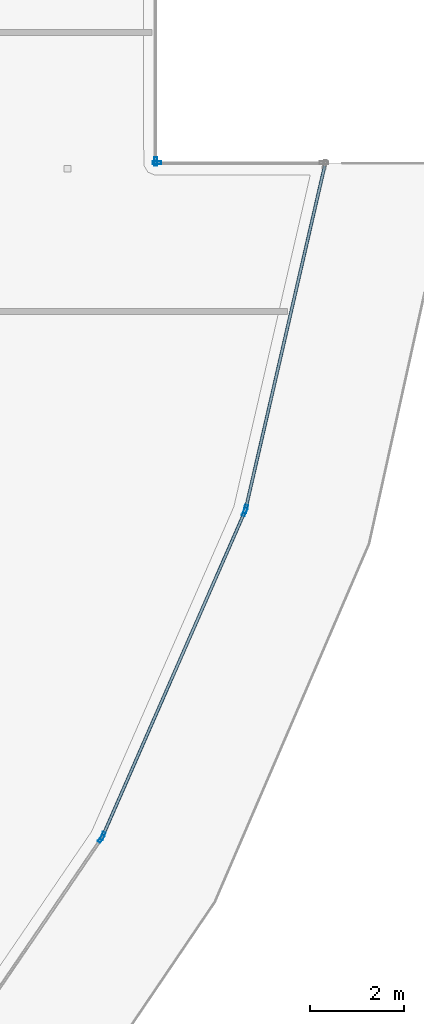
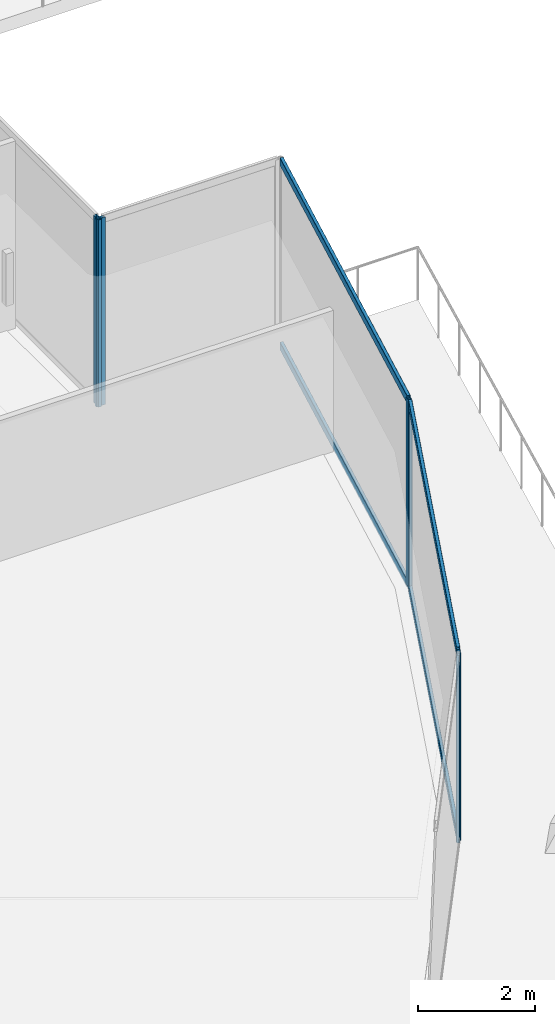
# One storey, part 23 of 43: 10 members, 5 elements without a shape of their own.
"""IFC4 building model written with IfcOpenShell, lengths in metres."""

from ifc_helpers import new_model, si_unit, direction, frame, origin, origin_2d, place, context, subcontext, project, spatial, hollow_rectangle, extrude, material, layer, layer_set, material_profile, profile_set, type_object, element, aggregate, save


model = new_model("IFC4")

# Units and contexts
model_context = context("Model", 3, precision=1e-05, world=origin(), true_north=direction((0.0, 1.0)))
body_context = subcontext(model_context, "Body", "Model", "MODEL_VIEW")
ifc_project = project(units=[si_unit("LENGTHUNIT", "METRE"), si_unit("AREAUNIT", "SQUARE_METRE"), si_unit("VOLUMEUNIT", "CUBIC_METRE"), si_unit("PLANEANGLEUNIT", "RADIAN"), si_unit("MASSUNIT", "GRAM", prefix="KILO")], contexts=[model_context])

# Site, building, storey
site_placement = place(None, origin())
site = spatial("IfcSite", under=ifc_project, at=site_placement, CompositionType="ELEMENT")
building_placement = place(site_placement, origin())
building = spatial("IfcBuilding", under=site, at=building_placement, Name="Qorvath Tower", CompositionType="ELEMENT")
storey_placement = place(building_placement, frame((0.0, 0.0, 36.60009765625)))
storey = spatial("IfcBuildingStorey", under=building, at=storey_placement, Name="L07", CompositionType="ELEMENT", Elevation=36.60009765625)

# Curtain wall, member
ifc_material_1 = material(Name="Anodised aluminium and triple low-E glass", Category="aluminium")
ifc_layer = layer(ifc_material_1, 0.179931640625)
ifc_layer_set = layer_set([ifc_layer], Name="CW-SYS-2")
curtain_wall_type = type_object("IfcCurtainWallType", Name="CW-SYS-2", PredefinedType="NOTDEFINED", material=ifc_layer_set)
curtain_wall_1_placement = place(storey_placement, origin())
curtain_wall_1 = element("IfcCurtainWall", 1, at=curtain_wall_1_placement, inside=storey, type_object=curtain_wall_type, Name="Curtain Wall CW-2 CW-T-L07-5.1", PredefinedType="NOTDEFINED")
ifc_material_2 = material(Name="Anodised aluminium 6063-T6", Category="aluminium")
ifc_material_profile_1 = material_profile(ifc_material_2, hollow_rectangle(XDim=0.06494140625, YDim=0.179931640625, WallThickness=0.00341796875, InnerFilletRadius=0.00341796875, OuterFilletRadius=0.007080078125, at=origin_2d()), Name="CWM 180x65")
ifc_profile_set_1 = profile_set([ifc_material_profile_1], Name="Anodised aluminium 6063-T6")
member_type_1 = type_object("IfcMemberType", Name="CWM-180", PredefinedType="MULLION", material=ifc_profile_set_1)
member_1_placement = place(storey_placement, frame((2.85498046875, -19.724853515625, 0.0), z_axis=(0.0, 0.0, 1.0), x_axis=(-0.825864059494, 0.563869271406, 0.0)))
member_1 = element("IfcMember", 2, at=member_1_placement, type_object=member_type_1, Name="CW-2 mullion 2", PredefinedType="MULLION", context=body_context, shape_type="SweptSolid", body=[
    extrude(hollow_rectangle(XDim=0.06494140625, YDim=0.179931640625, WallThickness=0.00341796875, InnerFilletRadius=0.00341796875, OuterFilletRadius=0.007080078125, at=origin_2d()), origin(), (0.0, 0.0, 1.0), 3.919921875),
])
aggregate(curtain_wall_1, [member_1])

# Curtain wall, members
curtain_wall_2_placement = place(storey_placement, origin())
curtain_wall_2 = element("IfcCurtainWall", 3, at=curtain_wall_2_placement, inside=storey, type_object=curtain_wall_type, Name="Curtain Wall CW-2 CW-T-L07-6.1", PredefinedType="NOTDEFINED")
member_2_placement = place(storey_placement, frame((2.88623046875, -19.668212890625, 0.0), z_axis=(0.0, 0.0, 1.0), x_axis=(-0.91602619216, 0.401118455419, 0.0)))
member_2 = element("IfcMember", 4, at=member_2_placement, type_object=member_type_1, Name="CW-2 mullion 1", PredefinedType="MULLION", context=body_context, shape_type="SweptSolid", body=[
    extrude(hollow_rectangle(XDim=0.06494140625, YDim=0.179931640625, WallThickness=0.00341796875, InnerFilletRadius=0.00341796875, OuterFilletRadius=0.007080078125, at=origin_2d()), origin(), (0.0, 0.0, 1.0), 3.919921875),
])
member_3_placement = place(storey_placement, frame((5.89404296875, -12.7998046875, 0.0), z_axis=(0.0, 0.0, 1.0), x_axis=(-0.91602619216, 0.401118455419, 0.0)))
member_3 = element("IfcMember", 5, at=member_3_placement, type_object=member_type_1, Name="CW-2 mullion 2", PredefinedType="MULLION", context=body_context, shape_type="SweptSolid", body=[
    extrude(hollow_rectangle(XDim=0.06494140625, YDim=0.179931640625, WallThickness=0.00341796875, InnerFilletRadius=0.00341796875, OuterFilletRadius=0.007080078125, at=origin_2d()), origin(), (0.0, 0.0, 1.0), 3.919921875),
])

# Curtain wall, member
curtain_wall_3_placement = place(storey_placement, origin())
curtain_wall_3 = element("IfcCurtainWall", 6, at=curtain_wall_3_placement, inside=storey, type_object=curtain_wall_type, Name="Curtain Wall CW-2 CW-T-L07-7.1", PredefinedType="NOTDEFINED")
member_4_placement = place(storey_placement, frame((5.914306640625, -12.73828125, 0.0), z_axis=(0.0, 0.0, 1.0), x_axis=(-0.974480701691, 0.22447129445, 0.0)))
member_4 = element("IfcMember", 7, at=member_4_placement, type_object=member_type_1, Name="CW-2 mullion 1", PredefinedType="MULLION", context=body_context, shape_type="SweptSolid", body=[
    extrude(hollow_rectangle(XDim=0.06494140625, YDim=0.179931640625, WallThickness=0.00341796875, InnerFilletRadius=0.00341796875, OuterFilletRadius=0.007080078125, at=origin_2d()), origin(), (0.0, 0.0, 1.0), 3.919921875),
])

curtain_wall_4_placement = place(storey_placement, origin())
curtain_wall_4 = element("IfcCurtainWall", 8, at=curtain_wall_4_placement, inside=storey, type_object=curtain_wall_type, Name="Curtain Wall CW-2 CW-T-L07-8.1", PredefinedType="NOTDEFINED")
member_5_placement = place(storey_placement, frame((4.037353515625, -5.39990234375, 0.0), z_axis=(0.0, 0.0, 1.0), x_axis=(0.0, -1.0, 0.0)))
member_5 = element("IfcMember", 9, at=member_5_placement, type_object=member_type_1, Name="CW-2 mullion 2", PredefinedType="MULLION", context=body_context, shape_type="SweptSolid", body=[
    extrude(hollow_rectangle(XDim=0.06494140625, YDim=0.179931640625, WallThickness=0.00341796875, InnerFilletRadius=0.00341796875, OuterFilletRadius=0.007080078125, at=origin_2d()), origin(), (0.0, 0.0, 1.0), 3.919921875),
])
aggregate(curtain_wall_4, [member_5])

curtain_wall_5_placement = place(storey_placement, origin())
curtain_wall_5 = element("IfcCurtainWall", 10, at=curtain_wall_5_placement, inside=storey, type_object=curtain_wall_type, Name="Curtain Wall CW-2 CW-T-L07-9.1", PredefinedType="NOTDEFINED")
member_6_placement = place(storey_placement, frame((4.0048828125, -5.367431640625, 0.0), z_axis=(0.0, 0.0, 1.0), x_axis=(-1.0, 0.0, 0.0)))
member_6 = element("IfcMember", 11, at=member_6_placement, type_object=member_type_1, Name="CW-2 mullion 1", PredefinedType="MULLION", context=body_context, shape_type="SweptSolid", body=[
    extrude(hollow_rectangle(XDim=0.06494140625, YDim=0.179931640625, WallThickness=0.00341796875, InnerFilletRadius=0.00341796875, OuterFilletRadius=0.007080078125, at=origin_2d()), origin(), (0.0, 0.0, 1.0), 3.919921875),
])
aggregate(curtain_wall_5, [member_6])

# Member
ifc_material_3 = material(Name="Anodised aluminium 6063-T6", Category="aluminium")
ifc_material_profile_2 = material_profile(ifc_material_3, hollow_rectangle(XDim=0.06494140625, YDim=0.159912109375, WallThickness=0.00341796875, InnerFilletRadius=0.00341796875, OuterFilletRadius=0.007080078125, at=origin_2d()), Name="CWT 160x65")
ifc_profile_set_2 = profile_set([ifc_material_profile_2], Name="Anodised aluminium 6063-T6")
member_type_2 = type_object("IfcMemberType", Name="CWT-160", PredefinedType="USERDEFINED", material=ifc_profile_set_2)
member_7_placement = place(storey_placement, frame((2.8994140625, -19.638427734375, 0.032470703125), z_axis=(0.40111000853, 0.916029890919, 0.0), x_axis=(-0.916029890919, 0.40111000853, 0.0)))
member_7 = element("IfcMember", 12, at=member_7_placement, type_object=member_type_2, Name="CW-2 transom 1.1", ObjectType="TRANSOM", PredefinedType="USERDEFINED", context=body_context, shape_type="SweptSolid", body=[
    extrude(hollow_rectangle(XDim=0.06494140625, YDim=0.159912109375, WallThickness=0.00341796875, InnerFilletRadius=0.00341796875, OuterFilletRadius=0.007080078125, at=origin_2d()), origin(), (0.0, 0.0, 1.0), 7.43310546875),
])

member_8_placement = place(storey_placement, frame((2.8994140625, -19.638427734375, 3.887451171875), z_axis=(0.40111000853, 0.916029890919, 0.0), x_axis=(-0.916029890919, 0.40111000853, 0.0)))
member_8 = element("IfcMember", 13, at=member_8_placement, type_object=member_type_2, Name="CW-2 transom 1.2", ObjectType="TRANSOM", PredefinedType="USERDEFINED", context=body_context, shape_type="SweptSolid", body=[
    extrude(hollow_rectangle(XDim=0.06494140625, YDim=0.159912109375, WallThickness=0.00341796875, InnerFilletRadius=0.00341796875, OuterFilletRadius=0.007080078125, at=origin_2d()), origin(), (0.0, 0.0, 1.0), 7.43310546875),
])

aggregate(curtain_wall_2, [member_2, member_3, member_7, member_8])

member_9_placement = place(storey_placement, frame((5.921630859375, -12.70654296875, 0.032470703125), z_axis=(0.22446368576, 0.974482454319, 0.0), x_axis=(-0.974482454319, 0.22446368576, 0.0)))
member_9 = element("IfcMember", 14, at=member_9_placement, type_object=member_type_2, Name="CW-2 transom 1.1", ObjectType="TRANSOM", PredefinedType="USERDEFINED", context=body_context, shape_type="SweptSolid", body=[
    extrude(hollow_rectangle(XDim=0.06494140625, YDim=0.159912109375, WallThickness=0.00341796875, InnerFilletRadius=0.00341796875, OuterFilletRadius=0.007080078125, at=origin_2d()), origin(), (0.0, 0.0, 1.0), 7.43310546875),
])

member_10_placement = place(storey_placement, frame((5.921630859375, -12.70654296875, 3.887451171875), z_axis=(0.22446368576, 0.974482454319, 0.0), x_axis=(-0.974482454319, 0.22446368576, 0.0)))
member_10 = element("IfcMember", 15, at=member_10_placement, type_object=member_type_2, Name="CW-2 transom 1.2", ObjectType="TRANSOM", PredefinedType="USERDEFINED", context=body_context, shape_type="SweptSolid", body=[
    extrude(hollow_rectangle(XDim=0.06494140625, YDim=0.159912109375, WallThickness=0.00341796875, InnerFilletRadius=0.00341796875, OuterFilletRadius=0.007080078125, at=origin_2d()), origin(), (0.0, 0.0, 1.0), 7.43310546875),
])

aggregate(curtain_wall_3, [member_4, member_9, member_10])

save(model, "model.ifc")
